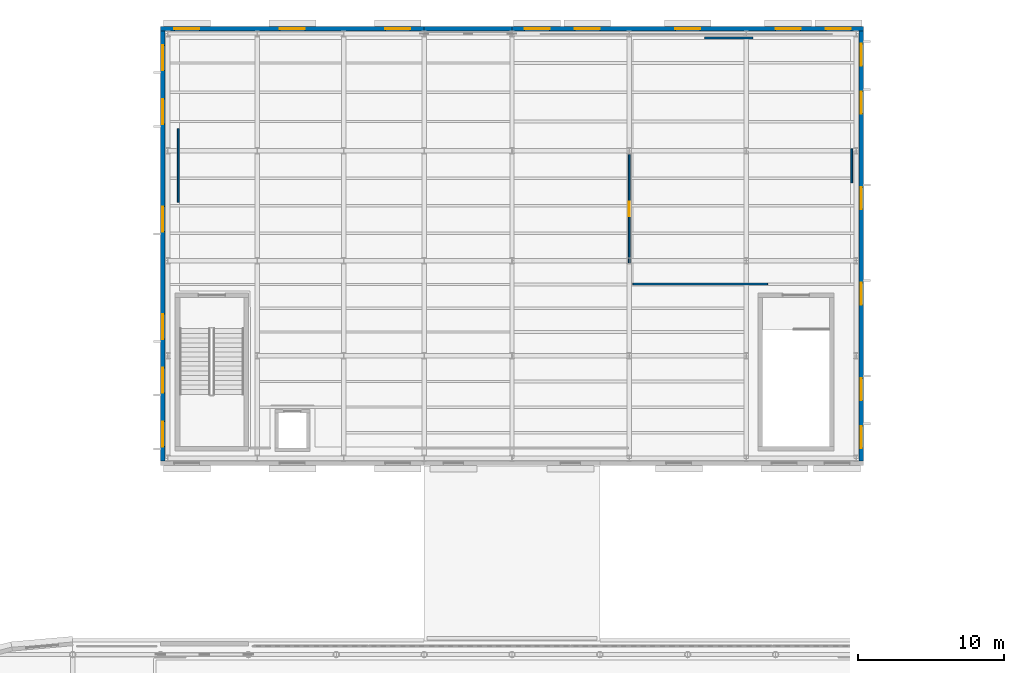
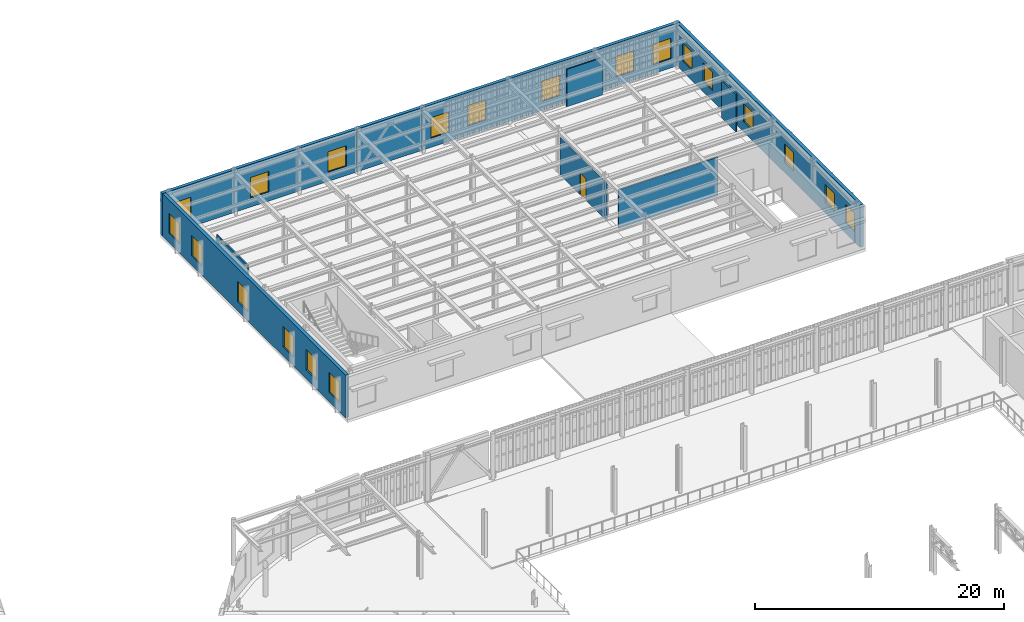
# One storey, part 69 of 91: 20 windows, 10 walls, 1 door, 21 openings.
"""IFC4 building model written with IfcOpenShell, lengths in metres."""

from ifc_helpers import new_model, si_unit, direction, frame, frame_2d, origin, place, context, subcontext, project, spatial, rectangle, extrude, material, layer, layer_set, type_object, element, fill, save


model = new_model("IFC4")

# Units and contexts
model_context = context("Model", 3, precision=1e-05, world=origin(), true_north=direction((0.0, 1.0)))
body_context = subcontext(model_context, "Body", "Model", "MODEL_VIEW")
ifc_project = project(units=[si_unit("LENGTHUNIT", "METRE"), si_unit("AREAUNIT", "SQUARE_METRE"), si_unit("VOLUMEUNIT", "CUBIC_METRE"), si_unit("PLANEANGLEUNIT", "RADIAN"), si_unit("MASSUNIT", "GRAM", prefix="KILO")], contexts=[model_context])

# Site, building, storey
site_placement = place(None, origin())
site = spatial("IfcSite", under=ifc_project, at=site_placement, CompositionType="ELEMENT")
building_placement = place(site_placement, origin())
building = spatial("IfcBuilding", under=site, at=building_placement, Name="Kolvaren Corner Interchange", CompositionType="ELEMENT")
storey_placement = place(building_placement, frame((0.0, 0.0, 6.0)))
storey = spatial("IfcBuildingStorey", under=building, at=storey_placement, Name="L02", CompositionType="ELEMENT", Elevation=6.0)

# Wall, openings, windows
ifc_material_1 = material(Name="Ochre Architectural Terracotta Rainscreen Assembly", Category="masonry")
ifc_layer_1 = layer(ifc_material_1, 0.300048828125)
ifc_layer_set_1 = layer_set([ifc_layer_1], Name="Ochre Architectural Terracotta Rainscreen Assembly")
wall_type_1 = type_object("IfcWallType", Name="WT-EXT-OCH300", PredefinedType="SOLIDWALL", material=ifc_layer_set_1)
wall_1_placement = place(storey_placement, frame((113.840087890625, 84.320068359375, 0.0), z_axis=(0.0, 0.0, 1.0), x_axis=(0.0, 1.0, 0.0)))
wall_1 = element("IfcWall", 1, at=wall_1_placement, inside=storey, type_object=wall_type_1, Name="Cycle Hub East Apron Facade Wall 0178", PredefinedType="SOLIDWALL", context=body_context, shape_type="SweptSolid", body=[
    extrude(rectangle(XDim=29.35986328125, YDim=0.300048828125, at=frame_2d((14.679931640625, 0.0))), origin(), (0.0, 0.0, 1.0), 4.179931640625),
])
opening_1_placement = place(wall_1_placement, frame((0.881103515625, 0.0, 1.0)))
opening_1 = element("IfcOpeningElement", 2, at=opening_1_placement, cuts=wall_1, Name="Opening W-07", PredefinedType="OPENING", context=body_context, shape_type="SweptSolid", body=[
    extrude(rectangle(XDim=1.5, YDim=1.800048828125, at=frame_2d((0.75, 0.89990234375))), frame((0.0, 0.159912109375, 0.0), z_axis=(0.0, -1.0, 0.0), x_axis=(1.0, 0.0, 0.0)), (0.0, 0.0, 1.0), 0.320068359375),
])
opening_2_placement = place(wall_1_placement, frame((4.143310546875, 0.0, 1.0)))
opening_2 = element("IfcOpeningElement", 3, at=opening_2_placement, cuts=wall_1, Name="Opening W-07", PredefinedType="OPENING", context=body_context, shape_type="SweptSolid", body=[
    extrude(rectangle(XDim=1.5, YDim=1.800048828125, at=frame_2d((0.75, 0.89990234375))), frame((0.0, 0.159912109375, 0.0), z_axis=(0.0, -1.0, 0.0), x_axis=(1.0, 0.0, 0.0)), (0.0, 0.0, 1.0), 0.320068359375),
])
opening_3_placement = place(wall_1_placement, frame((10.667724609375, 0.0, 1.0)))
opening_3 = element("IfcOpeningElement", 4, at=opening_3_placement, cuts=wall_1, Name="Opening W-07", PredefinedType="OPENING", context=body_context, shape_type="SweptSolid", body=[
    extrude(rectangle(XDim=1.5, YDim=1.800048828125, at=frame_2d((0.75, 0.89990234375))), frame((0.0, 0.159912109375, 0.0), z_axis=(0.0, -1.0, 0.0), x_axis=(1.0, 0.0, 0.0)), (0.0, 0.0, 1.0), 0.320068359375),
])
opening_4_placement = place(wall_1_placement, frame((17.192138671875, 0.0, 1.0)))
opening_4 = element("IfcOpeningElement", 5, at=opening_4_placement, cuts=wall_1, Name="Opening W-07", PredefinedType="OPENING", context=body_context, shape_type="SweptSolid", body=[
    extrude(rectangle(XDim=1.5, YDim=1.800048828125, at=frame_2d((0.75, 0.89990234375))), frame((0.0, 0.159912109375, 0.0), z_axis=(0.0, -1.0, 0.0), x_axis=(1.0, 0.0, 0.0)), (0.0, 0.0, 1.0), 0.320068359375),
])
opening_5_placement = place(wall_1_placement, frame((23.716796875, 0.0, 1.0)))
opening_5 = element("IfcOpeningElement", 6, at=opening_5_placement, cuts=wall_1, Name="Opening W-07", PredefinedType="OPENING", context=body_context, shape_type="SweptSolid", body=[
    extrude(rectangle(XDim=1.5, YDim=1.800048828125, at=frame_2d((0.75, 0.89990234375))), frame((0.0, 0.159912109375, 0.0), z_axis=(0.0, -1.0, 0.0), x_axis=(1.0, 0.0, 0.0)), (0.0, 0.0, 1.0), 0.320068359375),
])
opening_6_placement = place(wall_1_placement, frame((26.97900390625, 0.0, 1.0)))
opening_6 = element("IfcOpeningElement", 7, at=opening_6_placement, cuts=wall_1, Name="Opening W-07", PredefinedType="OPENING", context=body_context, shape_type="SweptSolid", body=[
    extrude(rectangle(XDim=1.5, YDim=1.800048828125, at=frame_2d((0.75, 0.89990234375))), frame((0.0, 0.159912109375, 0.0), z_axis=(0.0, -1.0, 0.0), x_axis=(1.0, 0.0, 0.0)), (0.0, 0.0, 1.0), 0.320068359375),
])
ifc_material_2 = material(Name="Thermally Broken Aluminium and Solar-Control Double Glazing", Category="aluminium")
window_type_1 = type_object("IfcWindowType", Name="WT-CYC-1500x1800", PartitioningType="SINGLE_PANEL", PredefinedType="WINDOW", material=ifc_material_2)
window_1_placement = place(opening_1_placement, origin())
window_1 = element("IfcWindow", 8, at=window_1_placement, inside=storey, type_object=window_type_1, Name="L02 Cycle Hub East Apron Facade Window 0273", OverallHeight=1.800048828125, OverallWidth=1.5, PartitioningType="SINGLE_PANEL", PredefinedType="WINDOW", context=body_context, shape_type="SweptSolid", body=[
    extrude(rectangle(XDim=1.5, YDim=1.800048828125, at=frame_2d((0.75, 0.89990234375))), frame((0.0, 0.030029296875, 0.0), z_axis=(0.0, -1.0, 0.0), x_axis=(1.0, 0.0, 0.0)), (0.0, 0.0, 1.0), 0.06005859375),
])
fill(opening_1, window_1)
window_2_placement = place(opening_2_placement, origin())
window_2 = element("IfcWindow", 9, at=window_2_placement, inside=storey, type_object=window_type_1, Name="L02 Cycle Hub East Apron Facade Window 0274", OverallHeight=1.800048828125, OverallWidth=1.5, PartitioningType="SINGLE_PANEL", PredefinedType="WINDOW", context=body_context, shape_type="SweptSolid", body=[
    extrude(rectangle(XDim=1.5, YDim=1.800048828125, at=frame_2d((0.75, 0.89990234375))), frame((0.0, 0.030029296875, 0.0), z_axis=(0.0, -1.0, 0.0), x_axis=(1.0, 0.0, 0.0)), (0.0, 0.0, 1.0), 0.06005859375),
])
fill(opening_2, window_2)
window_3_placement = place(opening_3_placement, origin())
window_3 = element("IfcWindow", 10, at=window_3_placement, inside=storey, type_object=window_type_1, Name="L02 Cycle Hub East Apron Facade Window 0275", OverallHeight=1.800048828125, OverallWidth=1.5, PartitioningType="SINGLE_PANEL", PredefinedType="WINDOW", context=body_context, shape_type="SweptSolid", body=[
    extrude(rectangle(XDim=1.5, YDim=1.800048828125, at=frame_2d((0.75, 0.89990234375))), frame((0.0, 0.030029296875, 0.0), z_axis=(0.0, -1.0, 0.0), x_axis=(1.0, 0.0, 0.0)), (0.0, 0.0, 1.0), 0.06005859375),
])
fill(opening_3, window_3)
window_4_placement = place(opening_4_placement, origin())
window_4 = element("IfcWindow", 11, at=window_4_placement, inside=storey, type_object=window_type_1, Name="L02 Cycle Hub East Apron Facade Window 0276", OverallHeight=1.800048828125, OverallWidth=1.5, PartitioningType="SINGLE_PANEL", PredefinedType="WINDOW", context=body_context, shape_type="SweptSolid", body=[
    extrude(rectangle(XDim=1.5, YDim=1.800048828125, at=frame_2d((0.75, 0.89990234375))), frame((0.0, 0.030029296875, 0.0), z_axis=(0.0, -1.0, 0.0), x_axis=(1.0, 0.0, 0.0)), (0.0, 0.0, 1.0), 0.06005859375),
])
fill(opening_4, window_4)
window_5_placement = place(opening_5_placement, origin())
window_5 = element("IfcWindow", 12, at=window_5_placement, inside=storey, type_object=window_type_1, Name="L02 Cycle Hub East Apron Facade Window 0277", OverallHeight=1.800048828125, OverallWidth=1.5, PartitioningType="SINGLE_PANEL", PredefinedType="WINDOW", context=body_context, shape_type="SweptSolid", body=[
    extrude(rectangle(XDim=1.5, YDim=1.800048828125, at=frame_2d((0.75, 0.89990234375))), frame((0.0, 0.030029296875, 0.0), z_axis=(0.0, -1.0, 0.0), x_axis=(1.0, 0.0, 0.0)), (0.0, 0.0, 1.0), 0.06005859375),
])
fill(opening_5, window_5)
window_6_placement = place(opening_6_placement, origin())
window_6 = element("IfcWindow", 13, at=window_6_placement, inside=storey, type_object=window_type_1, Name="L02 Cycle Hub East Apron Facade Window 0278", OverallHeight=1.800048828125, OverallWidth=1.5, PartitioningType="SINGLE_PANEL", PredefinedType="WINDOW", context=body_context, shape_type="SweptSolid", body=[
    extrude(rectangle(XDim=1.5, YDim=1.800048828125, at=frame_2d((0.75, 0.89990234375))), frame((0.0, 0.030029296875, 0.0), z_axis=(0.0, -1.0, 0.0), x_axis=(1.0, 0.0, 0.0)), (0.0, 0.0, 1.0), 0.06005859375),
])
fill(opening_6, window_6)

wall_2_placement = place(storey_placement, frame((114.0, 113.840087890625, 0.0), z_axis=(0.0, 0.0, 1.0), x_axis=(-1.0, 0.0, 0.0)))
wall_2 = element("IfcWall", 14, at=wall_2_placement, inside=storey, type_object=wall_type_1, Name="Cycle Hub North Facade Wall 0179", PredefinedType="SOLIDWALL", context=body_context, shape_type="SweptSolid", body=[
    extrude(rectangle(XDim=24.0, YDim=0.300048828125, at=frame_2d((12.0, 0.0))), origin(), (0.0, 0.0, 1.0), 4.179931640625),
])
opening_7_placement = place(wall_2_placement, frame((0.8642578125, 0.0, 0.89990234375)))
opening_7 = element("IfcOpeningElement", 15, at=opening_7_placement, cuts=wall_2, Name="Opening W-16", PredefinedType="OPENING", context=body_context, shape_type="SweptSolid", body=[
    extrude(rectangle(XDim=1.699951171875, YDim=2.0, at=frame_2d((0.85009765625, 1.0))), frame((0.0, 0.159912109375, 0.0), z_axis=(0.0, -1.0, 0.0), x_axis=(1.0, 0.0, 0.0)), (0.0, 0.0, 1.0), 0.320068359375),
])
opening_8_placement = place(wall_2_placement, frame((4.29296875, 0.0, 0.89990234375)))
opening_8 = element("IfcOpeningElement", 16, at=opening_8_placement, cuts=wall_2, Name="Opening W-16", PredefinedType="OPENING", context=body_context, shape_type="SweptSolid", body=[
    extrude(rectangle(XDim=1.699951171875, YDim=2.0, at=frame_2d((0.85009765625, 1.0))), frame((0.0, 0.159912109375, 0.0), z_axis=(0.0, -1.0, 0.0), x_axis=(1.0, 0.0, 0.0)), (0.0, 0.0, 1.0), 0.320068359375),
])
opening_9_placement = place(wall_2_placement, frame((11.14990234375, 0.0, 0.89990234375)))
opening_9 = element("IfcOpeningElement", 17, at=opening_9_placement, cuts=wall_2, Name="Opening W-16", PredefinedType="OPENING", context=body_context, shape_type="SweptSolid", body=[
    extrude(rectangle(XDim=1.699951171875, YDim=2.0, at=frame_2d((0.85009765625, 1.0))), frame((0.0, 0.159912109375, 0.0), z_axis=(0.0, -1.0, 0.0), x_axis=(1.0, 0.0, 0.0)), (0.0, 0.0, 1.0), 0.320068359375),
])
opening_10_placement = place(wall_2_placement, frame((18.007080078125, 0.0, 0.89990234375)))
opening_10 = element("IfcOpeningElement", 18, at=opening_10_placement, cuts=wall_2, Name="Opening W-16", PredefinedType="OPENING", context=body_context, shape_type="SweptSolid", body=[
    extrude(rectangle(XDim=1.699951171875, YDim=2.0, at=frame_2d((0.85009765625, 1.0))), frame((0.0, 0.159912109375, 0.0), z_axis=(0.0, -1.0, 0.0), x_axis=(1.0, 0.0, 0.0)), (0.0, 0.0, 1.0), 0.320068359375),
])
opening_11_placement = place(wall_2_placement, frame((21.435791015625, 0.0, 0.89990234375)))
opening_11 = element("IfcOpeningElement", 19, at=opening_11_placement, cuts=wall_2, Name="Opening W-16", PredefinedType="OPENING", context=body_context, shape_type="SweptSolid", body=[
    extrude(rectangle(XDim=1.699951171875, YDim=2.0, at=frame_2d((0.85009765625, 1.0))), frame((0.0, 0.159912109375, 0.0), z_axis=(0.0, -1.0, 0.0), x_axis=(1.0, 0.0, 0.0)), (0.0, 0.0, 1.0), 0.320068359375),
])
ifc_material_3 = material(Name="Thermally Broken Aluminium and Solar-Control Double Glazing", Category="aluminium")
window_type_2 = type_object("IfcWindowType", Name="WT-CYC-1700x2000", PartitioningType="DOUBLE_PANEL_HORIZONTAL", PredefinedType="WINDOW", material=ifc_material_3)
window_7_placement = place(opening_7_placement, origin())
window_7 = element("IfcWindow", 20, at=window_7_placement, inside=storey, type_object=window_type_2, Name="L02 Cycle Hub North Facade Window 0279", OverallHeight=2.0, OverallWidth=1.699951171875, PartitioningType="SINGLE_PANEL", PredefinedType="WINDOW", context=body_context, shape_type="SweptSolid", body=[
    extrude(rectangle(XDim=1.699951171875, YDim=2.0, at=frame_2d((0.85009765625, 1.0))), frame((0.0, 0.030029296875, 0.0), z_axis=(0.0, -1.0, 0.0), x_axis=(1.0, 0.0, 0.0)), (0.0, 0.0, 1.0), 0.06005859375),
])
fill(opening_7, window_7)
window_8_placement = place(opening_8_placement, origin())
window_8 = element("IfcWindow", 21, at=window_8_placement, inside=storey, type_object=window_type_2, Name="L02 Cycle Hub North Facade Window 0280", OverallHeight=2.0, OverallWidth=1.699951171875, PartitioningType="SINGLE_PANEL", PredefinedType="WINDOW", context=body_context, shape_type="SweptSolid", body=[
    extrude(rectangle(XDim=1.699951171875, YDim=2.0, at=frame_2d((0.85009765625, 1.0))), frame((0.0, 0.030029296875, 0.0), z_axis=(0.0, -1.0, 0.0), x_axis=(1.0, 0.0, 0.0)), (0.0, 0.0, 1.0), 0.06005859375),
])
fill(opening_8, window_8)
window_9_placement = place(opening_9_placement, origin())
window_9 = element("IfcWindow", 22, at=window_9_placement, inside=storey, type_object=window_type_2, Name="L02 Cycle Hub North Facade Window 0281", OverallHeight=2.0, OverallWidth=1.699951171875, PartitioningType="SINGLE_PANEL", PredefinedType="WINDOW", context=body_context, shape_type="SweptSolid", body=[
    extrude(rectangle(XDim=1.699951171875, YDim=2.0, at=frame_2d((0.85009765625, 1.0))), frame((0.0, 0.030029296875, 0.0), z_axis=(0.0, -1.0, 0.0), x_axis=(1.0, 0.0, 0.0)), (0.0, 0.0, 1.0), 0.06005859375),
])
fill(opening_9, window_9)
window_10_placement = place(opening_10_placement, origin())
window_10 = element("IfcWindow", 23, at=window_10_placement, inside=storey, type_object=window_type_2, Name="L02 Cycle Hub North Facade Window 0282", OverallHeight=2.0, OverallWidth=1.699951171875, PartitioningType="SINGLE_PANEL", PredefinedType="WINDOW", context=body_context, shape_type="SweptSolid", body=[
    extrude(rectangle(XDim=1.699951171875, YDim=2.0, at=frame_2d((0.85009765625, 1.0))), frame((0.0, 0.030029296875, 0.0), z_axis=(0.0, -1.0, 0.0), x_axis=(1.0, 0.0, 0.0)), (0.0, 0.0, 1.0), 0.06005859375),
])
fill(opening_10, window_10)
window_11_placement = place(opening_11_placement, origin())
window_11 = element("IfcWindow", 24, at=window_11_placement, inside=storey, type_object=window_type_2, Name="L02 Cycle Hub North Facade Window 0283", OverallHeight=2.0, OverallWidth=1.699951171875, PartitioningType="SINGLE_PANEL", PredefinedType="WINDOW", context=body_context, shape_type="SweptSolid", body=[
    extrude(rectangle(XDim=1.699951171875, YDim=2.0, at=frame_2d((0.85009765625, 1.0))), frame((0.0, 0.030029296875, 0.0), z_axis=(0.0, -1.0, 0.0), x_axis=(1.0, 0.0, 0.0)), (0.0, 0.0, 1.0), 0.06005859375),
])
fill(opening_11, window_11)

# Wall
wall_3_placement = place(storey_placement, frame((90.0, 113.840087890625, 0.0), z_axis=(0.0, 0.0, 1.0), x_axis=(-1.0, 0.0, 0.0)))
element("IfcWall", 25, at=wall_3_placement, inside=storey, type_object=wall_type_1, Name="Cycle Hub North Facade Wall 0180", PredefinedType="SOLIDWALL", context=body_context, shape_type="SweptSolid", body=[
    extrude(rectangle(XDim=6.0, YDim=0.300048828125, at=frame_2d((3.0, 0.0))), origin(), (0.0, 0.0, 1.0), 4.179931640625),
])

# Wall, openings, windows
wall_4_placement = place(storey_placement, frame((84.0, 113.840087890625, 0.0), z_axis=(0.0, 0.0, 1.0), x_axis=(-1.0, 0.0, 0.0)))
wall_4 = element("IfcWall", 26, at=wall_4_placement, inside=storey, type_object=wall_type_1, Name="Cycle Hub North Facade Wall 0181", PredefinedType="SOLIDWALL", context=body_context, shape_type="SweptSolid", body=[
    extrude(rectangle(XDim=18.0, YDim=0.300048828125, at=frame_2d((9.0, 0.0))), origin(), (0.0, 0.0, 1.0), 4.179931640625),
])
opening_12_placement = place(wall_4_placement, frame((0.949951171875, 0.0, 0.89990234375)))
opening_12 = element("IfcOpeningElement", 27, at=opening_12_placement, cuts=wall_4, Name="Opening W-16", PredefinedType="OPENING", context=body_context, shape_type="SweptSolid", body=[
    extrude(rectangle(XDim=1.699951171875, YDim=2.0, at=frame_2d((0.85009765625, 1.0))), frame((0.0, 0.159912109375, 0.0), z_axis=(0.0, -1.0, 0.0), x_axis=(1.0, 0.0, 0.0)), (0.0, 0.0, 1.0), 0.320068359375),
])
opening_13_placement = place(wall_4_placement, frame((8.14990234375, 0.0, 0.89990234375)))
opening_13 = element("IfcOpeningElement", 28, at=opening_13_placement, cuts=wall_4, Name="Opening W-16", PredefinedType="OPENING", context=body_context, shape_type="SweptSolid", body=[
    extrude(rectangle(XDim=1.699951171875, YDim=2.0, at=frame_2d((0.85009765625, 1.0))), frame((0.0, 0.159912109375, 0.0), z_axis=(0.0, -1.0, 0.0), x_axis=(1.0, 0.0, 0.0)), (0.0, 0.0, 1.0), 0.320068359375),
])
opening_14_placement = place(wall_4_placement, frame((15.35009765625, 0.0, 0.89990234375)))
opening_14 = element("IfcOpeningElement", 29, at=opening_14_placement, cuts=wall_4, Name="Opening W-16", PredefinedType="OPENING", context=body_context, shape_type="SweptSolid", body=[
    extrude(rectangle(XDim=1.699951171875, YDim=2.0, at=frame_2d((0.85009765625, 1.0))), frame((0.0, 0.159912109375, 0.0), z_axis=(0.0, -1.0, 0.0), x_axis=(1.0, 0.0, 0.0)), (0.0, 0.0, 1.0), 0.320068359375),
])
window_12_placement = place(opening_12_placement, origin())
window_12 = element("IfcWindow", 30, at=window_12_placement, inside=storey, type_object=window_type_2, Name="L02 Cycle Hub North Facade Window 0284", OverallHeight=2.0, OverallWidth=1.699951171875, PartitioningType="SINGLE_PANEL", PredefinedType="WINDOW", context=body_context, shape_type="SweptSolid", body=[
    extrude(rectangle(XDim=1.699951171875, YDim=2.0, at=frame_2d((0.85009765625, 1.0))), frame((0.0, 0.030029296875, 0.0), z_axis=(0.0, -1.0, 0.0), x_axis=(1.0, 0.0, 0.0)), (0.0, 0.0, 1.0), 0.06005859375),
])
fill(opening_12, window_12)
window_13_placement = place(opening_13_placement, origin())
window_13 = element("IfcWindow", 31, at=window_13_placement, inside=storey, type_object=window_type_2, Name="L02 Cycle Hub North Facade Window 0285", OverallHeight=2.0, OverallWidth=1.699951171875, PartitioningType="SINGLE_PANEL", PredefinedType="WINDOW", context=body_context, shape_type="SweptSolid", body=[
    extrude(rectangle(XDim=1.699951171875, YDim=2.0, at=frame_2d((0.85009765625, 1.0))), frame((0.0, 0.030029296875, 0.0), z_axis=(0.0, -1.0, 0.0), x_axis=(1.0, 0.0, 0.0)), (0.0, 0.0, 1.0), 0.06005859375),
])
fill(opening_13, window_13)
window_14_placement = place(opening_14_placement, origin())
window_14 = element("IfcWindow", 32, at=window_14_placement, inside=storey, type_object=window_type_2, Name="L02 Cycle Hub North Facade Window 0286", OverallHeight=2.0, OverallWidth=1.699951171875, PartitioningType="SINGLE_PANEL", PredefinedType="WINDOW", context=body_context, shape_type="SweptSolid", body=[
    extrude(rectangle(XDim=1.699951171875, YDim=2.0, at=frame_2d((0.85009765625, 1.0))), frame((0.0, 0.030029296875, 0.0), z_axis=(0.0, -1.0, 0.0), x_axis=(1.0, 0.0, 0.0)), (0.0, 0.0, 1.0), 0.06005859375),
])
fill(opening_14, window_14)

wall_5_placement = place(storey_placement, frame((66.159912109375, 113.679931640625, 0.0), z_axis=(0.0, 0.0, 1.0), x_axis=(0.0, -1.0, 0.0)))
wall_5 = element("IfcWall", 33, at=wall_5_placement, inside=storey, type_object=wall_type_1, Name="Cycle Hub West Rain Court Facade Wall 0182", PredefinedType="SOLIDWALL", context=body_context, shape_type="SweptSolid", body=[
    extrude(rectangle(XDim=29.35986328125, YDim=0.300048828125, at=frame_2d((14.679931640625, 0.0))), origin(), (0.0, 0.0, 1.0), 4.179931640625),
])
opening_15_placement = place(wall_5_placement, frame((0.985107421875, 0.0, 0.89990234375)))
opening_15 = element("IfcOpeningElement", 34, at=opening_15_placement, cuts=wall_5, Name="Opening W-16", PredefinedType="OPENING", context=body_context, shape_type="SweptSolid", body=[
    extrude(rectangle(XDim=1.699951171875, YDim=2.0, at=frame_2d((0.85009765625, 1.0))), frame((0.0, 0.159912109375, 0.0), z_axis=(0.0, -1.0, 0.0), x_axis=(1.0, 0.0, 0.0)), (0.0, 0.0, 1.0), 0.320068359375),
])
opening_16_placement = place(wall_5_placement, frame((4.655029296875, 0.0, 0.89990234375)))
opening_16 = element("IfcOpeningElement", 35, at=opening_16_placement, cuts=wall_5, Name="Opening W-16", PredefinedType="OPENING", context=body_context, shape_type="SweptSolid", body=[
    extrude(rectangle(XDim=1.699951171875, YDim=2.0, at=frame_2d((0.85009765625, 1.0))), frame((0.0, 0.159912109375, 0.0), z_axis=(0.0, -1.0, 0.0), x_axis=(1.0, 0.0, 0.0)), (0.0, 0.0, 1.0), 0.320068359375),
])
opening_17_placement = place(wall_5_placement, frame((11.9951171875, 0.0, 0.89990234375)))
opening_17 = element("IfcOpeningElement", 36, at=opening_17_placement, cuts=wall_5, Name="Opening W-16", PredefinedType="OPENING", context=body_context, shape_type="SweptSolid", body=[
    extrude(rectangle(XDim=1.699951171875, YDim=2.0, at=frame_2d((0.85009765625, 1.0))), frame((0.0, 0.159912109375, 0.0), z_axis=(0.0, -1.0, 0.0), x_axis=(1.0, 0.0, 0.0)), (0.0, 0.0, 1.0), 0.320068359375),
])
opening_18_placement = place(wall_5_placement, frame((19.3349609375, 0.0, 0.89990234375)))
opening_18 = element("IfcOpeningElement", 37, at=opening_18_placement, cuts=wall_5, Name="Opening W-16", PredefinedType="OPENING", context=body_context, shape_type="SweptSolid", body=[
    extrude(rectangle(XDim=1.699951171875, YDim=2.0, at=frame_2d((0.85009765625, 1.0))), frame((0.0, 0.159912109375, 0.0), z_axis=(0.0, -1.0, 0.0), x_axis=(1.0, 0.0, 0.0)), (0.0, 0.0, 1.0), 0.320068359375),
])
opening_19_placement = place(wall_5_placement, frame((23.0048828125, 0.0, 0.89990234375)))
opening_19 = element("IfcOpeningElement", 38, at=opening_19_placement, cuts=wall_5, Name="Opening W-16", PredefinedType="OPENING", context=body_context, shape_type="SweptSolid", body=[
    extrude(rectangle(XDim=1.699951171875, YDim=2.0, at=frame_2d((0.85009765625, 1.0))), frame((0.0, 0.159912109375, 0.0), z_axis=(0.0, -1.0, 0.0), x_axis=(1.0, 0.0, 0.0)), (0.0, 0.0, 1.0), 0.320068359375),
])
opening_20_placement = place(wall_5_placement, frame((26.675048828125, 0.0, 0.89990234375)))
opening_20 = element("IfcOpeningElement", 39, at=opening_20_placement, cuts=wall_5, Name="Opening W-16", PredefinedType="OPENING", context=body_context, shape_type="SweptSolid", body=[
    extrude(rectangle(XDim=1.699951171875, YDim=2.0, at=frame_2d((0.85009765625, 1.0))), frame((0.0, 0.159912109375, 0.0), z_axis=(0.0, -1.0, 0.0), x_axis=(1.0, 0.0, 0.0)), (0.0, 0.0, 1.0), 0.320068359375),
])
window_15_placement = place(opening_15_placement, origin())
window_15 = element("IfcWindow", 40, at=window_15_placement, inside=storey, type_object=window_type_2, Name="L02 Cycle Hub West Rain Court Facade Window 0287", OverallHeight=2.0, OverallWidth=1.699951171875, PartitioningType="SINGLE_PANEL", PredefinedType="WINDOW", context=body_context, shape_type="SweptSolid", body=[
    extrude(rectangle(XDim=1.699951171875, YDim=2.0, at=frame_2d((0.85009765625, 1.0))), frame((0.0, 0.030029296875, 0.0), z_axis=(0.0, -1.0, 0.0), x_axis=(1.0, 0.0, 0.0)), (0.0, 0.0, 1.0), 0.06005859375),
])
fill(opening_15, window_15)
window_16_placement = place(opening_16_placement, origin())
window_16 = element("IfcWindow", 41, at=window_16_placement, inside=storey, type_object=window_type_2, Name="L02 Cycle Hub West Rain Court Facade Window 0288", OverallHeight=2.0, OverallWidth=1.699951171875, PartitioningType="SINGLE_PANEL", PredefinedType="WINDOW", context=body_context, shape_type="SweptSolid", body=[
    extrude(rectangle(XDim=1.699951171875, YDim=2.0, at=frame_2d((0.85009765625, 1.0))), frame((0.0, 0.030029296875, 0.0), z_axis=(0.0, -1.0, 0.0), x_axis=(1.0, 0.0, 0.0)), (0.0, 0.0, 1.0), 0.06005859375),
])
fill(opening_16, window_16)
window_17_placement = place(opening_17_placement, origin())
window_17 = element("IfcWindow", 42, at=window_17_placement, inside=storey, type_object=window_type_2, Name="L02 Cycle Hub West Rain Court Facade Window 0289", OverallHeight=2.0, OverallWidth=1.699951171875, PartitioningType="SINGLE_PANEL", PredefinedType="WINDOW", context=body_context, shape_type="SweptSolid", body=[
    extrude(rectangle(XDim=1.699951171875, YDim=2.0, at=frame_2d((0.85009765625, 1.0))), frame((0.0, 0.030029296875, 0.0), z_axis=(0.0, -1.0, 0.0), x_axis=(1.0, 0.0, 0.0)), (0.0, 0.0, 1.0), 0.06005859375),
])
fill(opening_17, window_17)
window_18_placement = place(opening_18_placement, origin())
window_18 = element("IfcWindow", 43, at=window_18_placement, inside=storey, type_object=window_type_2, Name="L02 Cycle Hub West Rain Court Facade Window 0290", OverallHeight=2.0, OverallWidth=1.699951171875, PartitioningType="SINGLE_PANEL", PredefinedType="WINDOW", context=body_context, shape_type="SweptSolid", body=[
    extrude(rectangle(XDim=1.699951171875, YDim=2.0, at=frame_2d((0.85009765625, 1.0))), frame((0.0, 0.030029296875, 0.0), z_axis=(0.0, -1.0, 0.0), x_axis=(1.0, 0.0, 0.0)), (0.0, 0.0, 1.0), 0.06005859375),
])
fill(opening_18, window_18)
window_19_placement = place(opening_19_placement, origin())
window_19 = element("IfcWindow", 44, at=window_19_placement, inside=storey, type_object=window_type_2, Name="L02 Cycle Hub West Rain Court Facade Window 0291", OverallHeight=2.0, OverallWidth=1.699951171875, PartitioningType="SINGLE_PANEL", PredefinedType="WINDOW", context=body_context, shape_type="SweptSolid", body=[
    extrude(rectangle(XDim=1.699951171875, YDim=2.0, at=frame_2d((0.85009765625, 1.0))), frame((0.0, 0.030029296875, 0.0), z_axis=(0.0, -1.0, 0.0), x_axis=(1.0, 0.0, 0.0)), (0.0, 0.0, 1.0), 0.06005859375),
])
fill(opening_19, window_19)
window_20_placement = place(opening_20_placement, origin())
window_20 = element("IfcWindow", 45, at=window_20_placement, inside=storey, type_object=window_type_2, Name="L02 Cycle Hub West Rain Court Facade Window 0292", OverallHeight=2.0, OverallWidth=1.699951171875, PartitioningType="SINGLE_PANEL", PredefinedType="WINDOW", context=body_context, shape_type="SweptSolid", body=[
    extrude(rectangle(XDim=1.699951171875, YDim=2.0, at=frame_2d((0.85009765625, 1.0))), frame((0.0, 0.030029296875, 0.0), z_axis=(0.0, -1.0, 0.0), x_axis=(1.0, 0.0, 0.0)), (0.0, 0.0, 1.0), 0.06005859375),
])
fill(opening_20, window_20)

# Wall
ifc_material_4 = material(Name="Standard Metal-Stud Drywall Partition")
ifc_layer_2 = layer(ifc_material_4, 0.1201171875)
ifc_layer_set_2 = layer_set([ifc_layer_2], Name="Standard Metal-Stud Drywall Partition")
wall_type_2 = type_object("IfcWallType", Name="WT-PART-ST125", PredefinedType="PARTITIONING", material=ifc_layer_set_2)
wall_6_placement = place(storey_placement, frame((67.199951171875, 107.02490234375, 0.0), z_axis=(0.0, 0.0, 1.0), x_axis=(0.0, -1.0, 0.0)))
element("IfcWall", 46, at=wall_6_placement, inside=storey, type_object=wall_type_2, Name="L02 Upper Cycle Storage Mezzanine Partition Wall 085", PredefinedType="PARTITIONING", context=body_context, shape_type="SweptSolid", body=[
    extrude(rectangle(XDim=5.039794921875, YDim=0.1201171875, at=frame_2d((2.52001953125, 0.0))), origin(), (0.0, 0.0, 1.0), 3.81494140625),
])

# Wall, opening, door
wall_7_placement = place(storey_placement, frame((98.0, 97.800048828125, 0.0), z_axis=(0.0, 0.0, 1.0), x_axis=(0.0, 1.0, 0.0)))
wall_7 = element("IfcWall", 47, at=wall_7_placement, inside=storey, type_object=wall_type_2, Name="L02 Upper Cycle Storage Mezzanine Partition Wall 088", PredefinedType="PARTITIONING", context=body_context, shape_type="SweptSolid", body=[
    extrude(rectangle(XDim=7.43994140625, YDim=0.1201171875, at=frame_2d((3.719970703125, 0.0))), origin(), (0.0, 0.0, 1.0), 3.675048828125),
])
opening_21_placement = place(wall_7_placement, frame((3.22998046875, 0.0, 0.0)))
opening_21 = element("IfcOpeningElement", 48, at=opening_21_placement, cuts=wall_7, Name="Opening D-I03", PredefinedType="OPENING", context=body_context, shape_type="SweptSolid", body=[
    extrude(rectangle(XDim=0.97998046875, YDim=2.14990234375, at=frame_2d((0.489990234375, 1.074951171875))), frame((0.0, 0.070068359375, 0.0), z_axis=(0.0, -1.0, 0.0), x_axis=(1.0, 0.0, 0.0)), (0.0, 0.0, 1.0), 0.14013671875),
])
ifc_material_5 = material(Name="Solid-Core Iroko Timber Door", Category="wood")
door_type = type_object("IfcDoorType", Name="DT-INT-980x2150", OperationType="NOTDEFINED", PredefinedType="DOOR", material=ifc_material_5)
door_placement = place(opening_21_placement, origin())
door = element("IfcDoor", 49, at=door_placement, inside=storey, type_object=door_type, Name="L02 E-Bike Charging Lounge Door", OperationType="SINGLE_SWING_LEFT", OverallHeight=2.14990234375, OverallWidth=0.97998046875, PredefinedType="DOOR", context=body_context, shape_type="SweptSolid", body=[
    extrude(rectangle(XDim=0.97998046875, YDim=2.14990234375, at=frame_2d((0.489990234375, 1.074951171875))), frame((0.0, 0.02490234375, 0.0), z_axis=(0.0, -1.0, 0.0), x_axis=(1.0, 0.0, 0.0)), (0.0, 0.0, 1.0), 0.050048828125),
])
fill(opening_21, door)

# Walls
wall_8_placement = place(storey_placement, frame((98.25, 96.39990234375, 0.0), z_axis=(0.0, 0.0, 1.0), x_axis=(1.0, 0.0, 0.0)))
element("IfcWall", 50, at=wall_8_placement, inside=storey, type_object=wall_type_2, Name="L02 E-Bike Charging Lounge Partition Wall 089", PredefinedType="PARTITIONING", context=body_context, shape_type="SweptSolid", body=[
    extrude(rectangle(XDim=9.199951171875, YDim=0.1201171875, at=frame_2d((4.60009765625, 0.0))), origin(), (0.0, 0.0, 1.0), 3.764892578125),
])
wall_9_placement = place(storey_placement, frame((113.199951171875, 103.312255859375, 0.0), z_axis=(0.0, 0.0, 1.0), x_axis=(0.0, 1.0, 0.0)))
element("IfcWall", 51, at=wall_9_placement, inside=storey, type_object=wall_type_2, Name="L02 E-Bike Charging Lounge Partition Wall 090", PredefinedType="PARTITIONING", context=body_context, shape_type="SweptSolid", body=[
    extrude(rectangle(XDim=2.32763671875, YDim=0.1201171875, at=frame_2d((1.163818359375, 0.0))), origin(), (0.0, 0.0, 1.0), 3.675048828125),
])
wall_10_placement = place(storey_placement, frame((106.449951171875, 113.199951171875, 0.0), z_axis=(0.0, 0.0, 1.0), x_axis=(-1.0, 0.0, 0.0)))
element("IfcWall", 52, at=wall_10_placement, inside=storey, type_object=wall_type_2, Name="L02 E-Bike Charging Lounge Partition Wall 091", PredefinedType="PARTITIONING", context=body_context, shape_type="SweptSolid", body=[
    extrude(rectangle(XDim=3.300048828125, YDim=0.1201171875, at=frame_2d((1.64990234375, 0.0))), origin(), (0.0, 0.0, 1.0), 3.675048828125),
])

save(model, "model.ifc")
